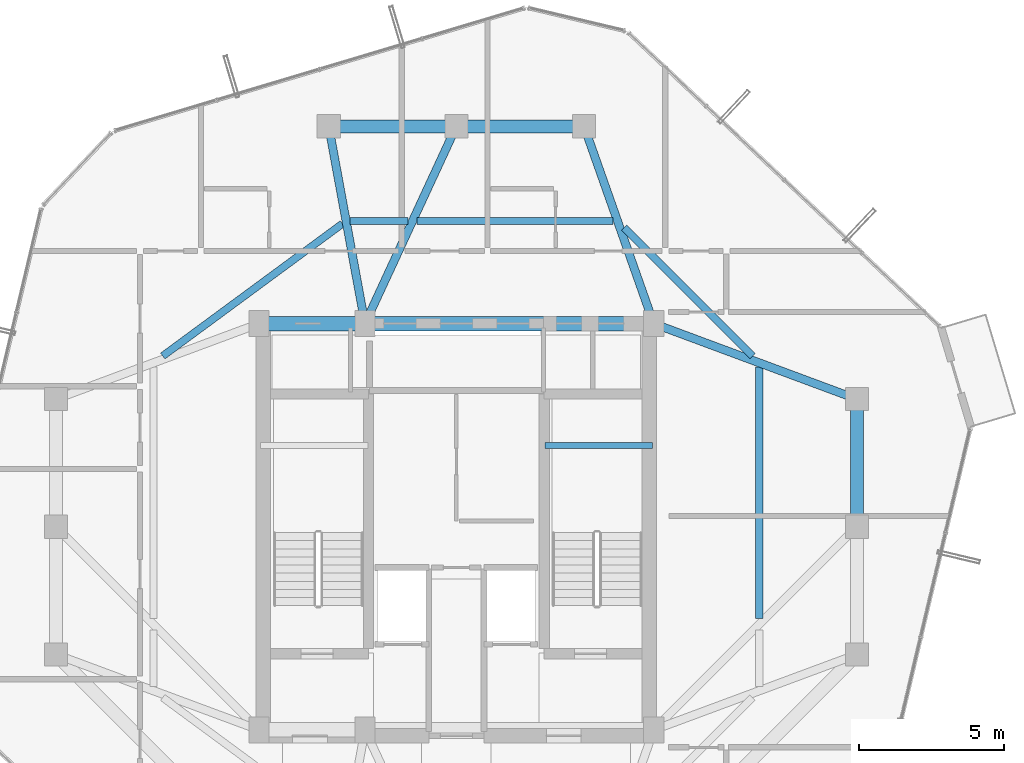
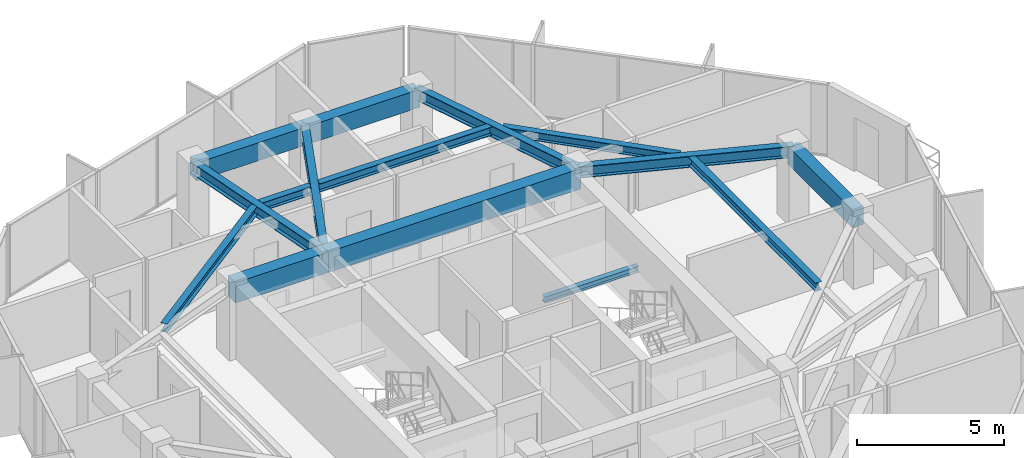
# One storey, part 14 of 28: 15 beams.
"""IFC4 building model written with IfcOpenShell, lengths in metres."""

from ifc_helpers import new_model, si_unit, direction, frame, origin, origin_2d, place, context, subcontext, project, spatial, rectangle, i_section, extrude, material, material_profile, profile_set, type_object, element, save


model = new_model("IFC4")

# Units and contexts
model_context = context("Model", 3, precision=1e-05, world=origin(), true_north=direction((0.0, 1.0)))
body_context = subcontext(model_context, "Body", "Model", "MODEL_VIEW")
ifc_project = project(units=[si_unit("LENGTHUNIT", "METRE"), si_unit("AREAUNIT", "SQUARE_METRE"), si_unit("VOLUMEUNIT", "CUBIC_METRE"), si_unit("PLANEANGLEUNIT", "RADIAN"), si_unit("MASSUNIT", "GRAM", prefix="KILO")], contexts=[model_context])

# Site, building, storey
site_placement = place(None, origin())
site = spatial("IfcSite", under=ifc_project, at=site_placement, CompositionType="ELEMENT")
building_placement = place(site_placement, origin())
building = spatial("IfcBuilding", under=site, at=building_placement, Name="Veraguas Prism Commons", CompositionType="ELEMENT")
storey_placement = place(building_placement, frame((0.0, 0.0, 254.5)))
storey = spatial("IfcBuildingStorey", under=building, at=storey_placement, Name="L72", CompositionType="ELEMENT", Elevation=254.5)

# Beams
ifc_material_1 = material(Name="Concrete C50/60", Category="concrete")
ifc_material_profile_1 = material_profile(ifc_material_1, rectangle(XDim=0.5, YDim=0.85009765625, at=origin_2d()), Name="RC500X850")
ifc_profile_set_1 = profile_set([ifc_material_profile_1], Name="Concrete C50/60")
beam_type_1 = type_object("IfcBeamType", Name="Core Coupling Beam RC 500x850", PredefinedType="BEAM", material=ifc_profile_set_1)
beam_1_placement = place(storey_placement, frame((17.199951171875, 31.0, 2.590087890625), z_axis=(1.0, 0.0, 0.0), x_axis=(0.0, 1.0, 0.0)))
element("IfcBeam", 1, at=beam_1_placement, inside=storey, type_object=beam_type_1, Name="Core Coupling Beam L72-CRN1", PredefinedType="BEAM", context=body_context, shape_type="SweptSolid", body=[
    extrude(rectangle(XDim=0.5, YDim=0.85009765625, at=origin_2d()), origin(), (0.0, 0.0, 1.0), 3.650146484375),
])
beam_2_placement = place(storey_placement, frame((20.85009765625, 31.0, 2.590087890625), z_axis=(1.0, 0.0, 0.0), x_axis=(0.0, 1.0, 0.0)))
element("IfcBeam", 2, at=beam_2_placement, inside=storey, type_object=beam_type_1, Name="Core Coupling Beam L72-CRN2", PredefinedType="BEAM", context=body_context, shape_type="SweptSolid", body=[
    extrude(rectangle(XDim=0.5, YDim=0.85009765625, at=origin_2d()), origin(), (0.0, 0.0, 1.0), 9.949951171875),
])
ifc_material_profile_2 = material_profile(ifc_material_1, rectangle(XDim=0.449951171875, YDim=0.75, at=origin_2d()), Name="RC450X750")
ifc_profile_set_2 = profile_set([ifc_material_profile_2], Name="Concrete C50/60")
beam_type_2 = type_object("IfcBeamType", Name="Perimeter Spandrel Upper RC 450x750", PredefinedType="SPANDREL", material=ifc_profile_set_2)
for number, where, z_axis, x_axis, name in (
    (3, (37.800048828125, 24.0, 2.639892578125), (0.0, 1.0, 0.0), (-1.0, 0.0, 0.0), "Perimeter Spandrel Beam L72-SP02"),
    (4, (28.39990234375, 37.800048828125, 2.639892578125), (-1.0, 0.0, 0.0), (0.0, -1.0, 0.0), "Perimeter Spandrel Beam L72-SP04"),
    (5, (24.0, 37.800048828125, 2.639892578125), (-1.0, 0.0, 0.0), (0.0, -1.0, 0.0), "Perimeter Spandrel Beam L72-SP05"),
):
    element("IfcBeam", number, at=place(storey_placement, frame(where, z_axis=z_axis, x_axis=x_axis)), inside=storey, type_object=beam_type_2, Name=name, PredefinedType="SPANDREL", context=body_context, shape_type="SweptSolid", body=[
        extrude(rectangle(XDim=0.449951171875, YDim=0.75, at=origin_2d()), origin(), (0.0, 0.0, 1.0), 4.39990234375),
    ])
ifc_material_2 = material(Name="Steel ASTM A992 Grade 50", Category="steel")
ifc_material_profile_3 = material_profile(ifc_material_2, i_section(OverallWidth=0.202880859375, OverallDepth=0.251953125, WebThickness=0.008056640625, FlangeThickness=0.013427734375, at=origin_2d()), Name="W250X58")
ifc_profile_set_3 = profile_set([ifc_material_profile_3], Name="Steel ASTM A992 Grade 50")
beam_type_3 = type_object("IfcBeamType", Name="Structural Opening Lintel W250x58", PredefinedType="LINTEL", material=ifc_profile_set_3)
beam_3_placement = place(storey_placement, frame((27.050048828125, 26.800048828125, 1.299072265625), z_axis=(1.0, 0.0, 0.0), x_axis=(0.0, 1.0, 0.0)))
element("IfcBeam", 6, at=beam_3_placement, inside=storey, type_object=beam_type_3, Name="Stair ST-02 Half-Landing Support Beam L72-1", PredefinedType="LINTEL", context=body_context, shape_type="SweptSolid", body=[
    extrude(i_section(OverallWidth=0.202880859375, OverallDepth=0.251953125, WebThickness=0.008056640625, FlangeThickness=0.013427734375, at=origin_2d()), origin(), (0.0, 0.0, 1.0), 3.699951171875),
])
ifc_material_profile_4 = material_profile(ifc_material_2, i_section(OverallWidth=0.25390625, OverallDepth=0.35302734375, WebThickness=0.009521484375, FlangeThickness=0.016357421875, at=origin_2d()), Name="W360X91")
ifc_profile_set_4 = profile_set([ifc_material_profile_4], Name="Steel ASTM A992 Grade 50")
beam_type_4 = type_object("IfcBeamType", Name="Upper Floor Joist W360x91", PredefinedType="JOIST", material=ifc_profile_set_4)
beam_4_placement = place(storey_placement, frame((34.43994140625, 20.83740234375, 2.83837890625), z_axis=(0.0, 1.0, 0.0), x_axis=(-1.0, 0.0, 0.0)))
element("IfcBeam", 7, at=beam_4_placement, inside=storey, type_object=beam_type_4, Name="Composite Floor Joist L72-JS02", PredefinedType="JOIST", context=body_context, shape_type="SweptSolid", body=[
    extrude(i_section(OverallWidth=0.25390625, OverallDepth=0.35302734375, WebThickness=0.009521484375, FlangeThickness=0.016357421875, at=origin_2d()), origin(), (0.0, 0.0, 1.0), 8.661865234375),
])
beam_5_placement = place(storey_placement, frame((34.203369140625, 29.884765625, 2.83837890625), z_axis=(-0.707126297541, 0.707087264294, 0.0), x_axis=(-0.707087264294, -0.707126297541, 0.0)))
element("IfcBeam", 8, at=beam_5_placement, inside=storey, type_object=beam_type_4, Name="Composite Floor Joist L72-JS03", PredefinedType="JOIST", context=body_context, shape_type="SweptSolid", body=[
    extrude(i_section(OverallWidth=0.25390625, OverallDepth=0.35302734375, WebThickness=0.009521484375, FlangeThickness=0.016357421875, at=origin_2d()), origin(), (0.0, 0.0, 1.0), 6.254638671875),
])
beam_6_placement = place(storey_placement, frame((29.404052734375, 34.535888671875, 2.83837890625), z_axis=(-1.0, 0.0, 0.0), x_axis=(0.0, -1.0, 0.0)))
element("IfcBeam", 9, at=beam_6_placement, inside=storey, type_object=beam_type_4, Name="Composite Floor Joist L72-JS04", PredefinedType="JOIST", context=body_context, shape_type="SweptSolid", body=[
    extrude(i_section(OverallWidth=0.25390625, OverallDepth=0.35302734375, WebThickness=0.009521484375, FlangeThickness=0.016357421875, at=origin_2d()), origin(), (0.0, 0.0, 1.0), 6.762451171875),
])
beam_7_placement = place(storey_placement, frame((22.334228515625, 34.535888671875, 2.83837890625), z_axis=(-1.0, 0.0, 0.0), x_axis=(0.0, -1.0, 0.0)))
element("IfcBeam", 10, at=beam_7_placement, inside=storey, type_object=beam_type_4, Name="Composite Floor Joist L72-JS05", PredefinedType="JOIST", context=body_context, shape_type="SweptSolid", body=[
    extrude(i_section(OverallWidth=0.25390625, OverallDepth=0.35302734375, WebThickness=0.009521484375, FlangeThickness=0.016357421875, at=origin_2d()), origin(), (0.0, 0.0, 1.0), 1.992431640625),
])
beam_8_placement = place(storey_placement, frame((20.0751953125, 34.444091796875, 2.83837890625), z_axis=(-0.805319835229, -0.592840588174, 0.0), x_axis=(0.592840588174, -0.805319835229, 0.0)))
element("IfcBeam", 11, at=beam_8_placement, inside=storey, type_object=beam_type_4, Name="Composite Floor Joist L72-JS06", PredefinedType="JOIST", context=body_context, shape_type="SweptSolid", body=[
    extrude(i_section(OverallWidth=0.25390625, OverallDepth=0.35302734375, WebThickness=0.009521484375, FlangeThickness=0.016357421875, at=origin_2d()), origin(), (0.0, 0.0, 1.0), 7.69140625),
])
ifc_material_profile_5 = material_profile(ifc_material_2, i_section(OverallWidth=0.282958984375, OverallDepth=0.471923828125, WebThickness=0.013671875, FlangeThickness=0.022216796875, at=origin_2d()), Name="W460X144")
ifc_profile_set_5 = profile_set([ifc_material_profile_5], Name="Steel ASTM A992 Grade 50")
beam_type_5 = type_object("IfcBeamType", Name="Zone 4 Radial Girder W460x144", PredefinedType="BEAM", material=ifc_profile_set_5)
beam_9_placement = place(storey_placement, frame((37.800048828125, 28.39990234375, 2.779052734375), z_axis=(-0.937421003341, 0.348198021958, 0.0), x_axis=(-0.348198021958, -0.937421003341, 0.0)))
element("IfcBeam", 12, at=beam_9_placement, inside=storey, type_object=beam_type_5, Name="Radial Floor Girder L72-RD03", PredefinedType="BEAM", context=body_context, shape_type="SweptSolid", body=[
    extrude(i_section(OverallWidth=0.282958984375, OverallDepth=0.471923828125, WebThickness=0.013671875, FlangeThickness=0.022216796875, at=origin_2d()), origin(), (0.0, 0.0, 1.0), 7.46728515625),
])
beam_10_placement = place(storey_placement, frame((28.39990234375, 37.800048828125, 2.779052734375), z_axis=(0.332836055941, -0.942984708182, 0.0), x_axis=(0.942984708182, 0.332836055941, 0.0)))
element("IfcBeam", 13, at=beam_10_placement, inside=storey, type_object=beam_type_5, Name="Radial Floor Girder L72-RD04", PredefinedType="BEAM", context=body_context, shape_type="SweptSolid", body=[
    extrude(i_section(OverallWidth=0.282958984375, OverallDepth=0.471923828125, WebThickness=0.013671875, FlangeThickness=0.022216796875, at=origin_2d()), origin(), (0.0, 0.0, 1.0), 7.211181640625),
])
beam_11_placement = place(storey_placement, frame((24.0, 37.800048828125, 2.779052734375), z_axis=(-0.420313834543, -0.907378796585, 0.0), x_axis=(0.907378796585, -0.420313834543, 0.0)))
element("IfcBeam", 14, at=beam_11_placement, inside=storey, type_object=beam_type_5, Name="Radial Floor Girder L72-RD05", PredefinedType="BEAM", context=body_context, shape_type="SweptSolid", body=[
    extrude(i_section(OverallWidth=0.282958984375, OverallDepth=0.471923828125, WebThickness=0.013671875, FlangeThickness=0.022216796875, at=origin_2d()), origin(), (0.0, 0.0, 1.0), 7.494140625),
])
beam_12_placement = place(storey_placement, frame((19.60009765625, 37.800048828125, 2.779052734375), z_axis=(0.180793033327, -0.983521163524, 0.0), x_axis=(0.983521163524, 0.180793033327, 0.0)))
element("IfcBeam", 15, at=beam_12_placement, inside=storey, type_object=beam_type_5, Name="Radial Floor Girder L72-RD06", PredefinedType="BEAM", context=body_context, shape_type="SweptSolid", body=[
    extrude(i_section(OverallWidth=0.282958984375, OverallDepth=0.471923828125, WebThickness=0.013671875, FlangeThickness=0.022216796875, at=origin_2d()), origin(), (0.0, 0.0, 1.0), 6.9140625),
])

save(model, "model.ifc")
